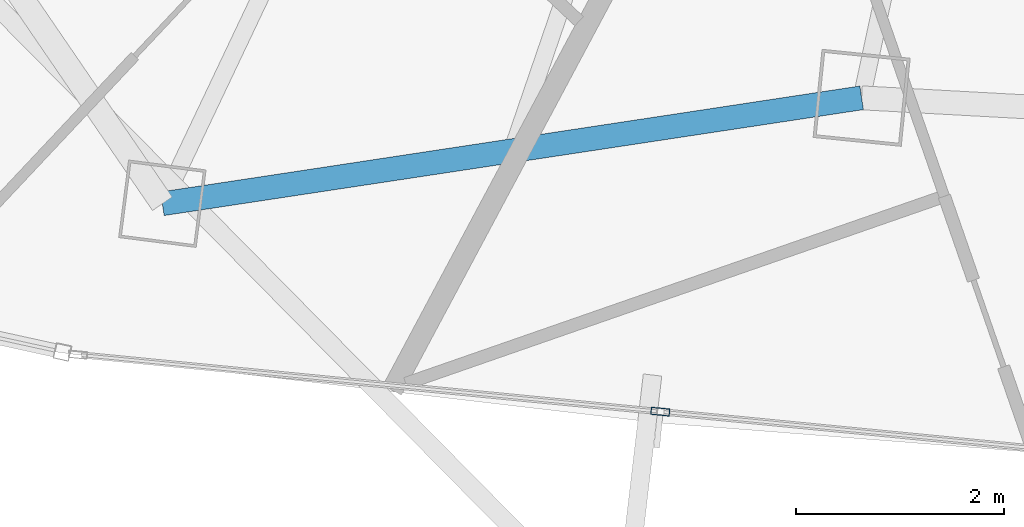
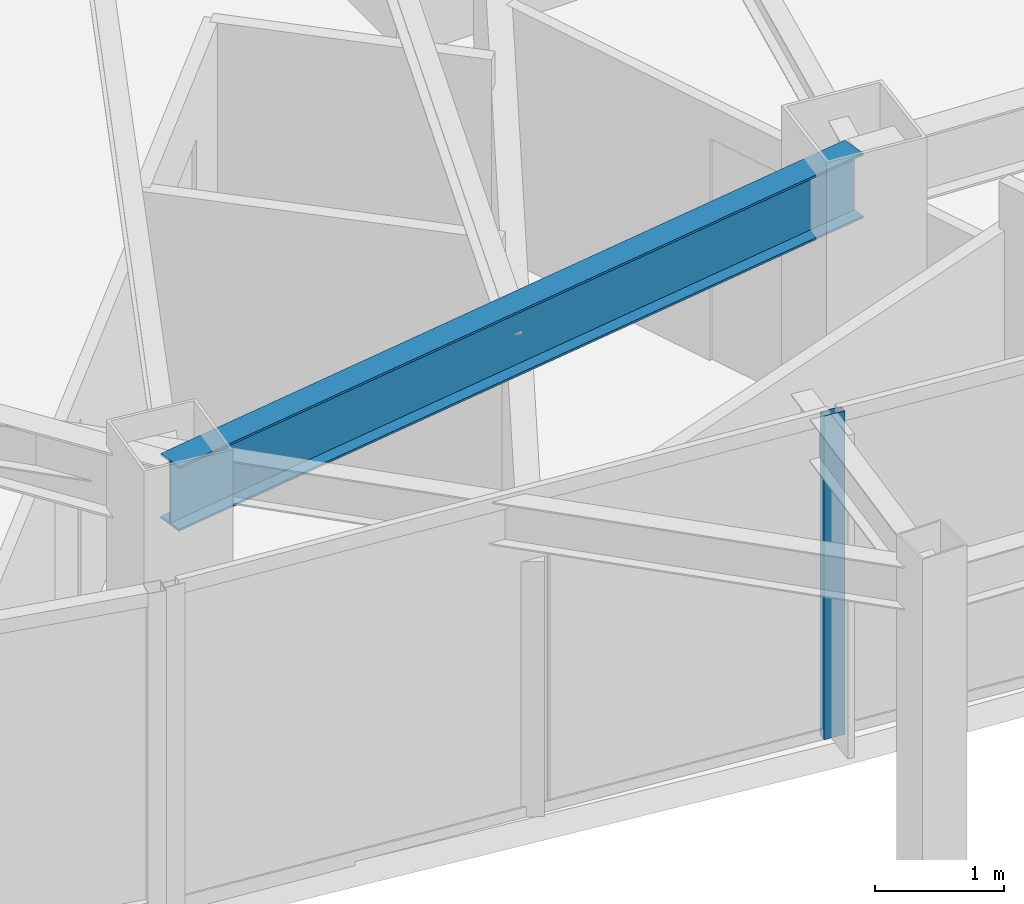
# One storey, part 4 of 29: 1 beam, 1 member, 1 element without a shape of its own.
"""IFC4 building model written with IfcOpenShell, lengths in metres."""

from ifc_helpers import new_model, si_unit, direction, frame, origin, origin_2d, place, context, subcontext, project, spatial, hollow_rectangle, i_section, extrude, material, layer, layer_set, material_profile, profile_set, type_object, element, aggregate, save


model = new_model("IFC4")

# Units and contexts
model_context = context("Model", 3, precision=1e-05, world=origin(), true_north=direction((0.0, 1.0)))
body_context = subcontext(model_context, "Body", "Model", "MODEL_VIEW")
ifc_project = project(units=[si_unit("LENGTHUNIT", "METRE"), si_unit("AREAUNIT", "SQUARE_METRE"), si_unit("VOLUMEUNIT", "CUBIC_METRE"), si_unit("PLANEANGLEUNIT", "RADIAN"), si_unit("MASSUNIT", "GRAM", prefix="KILO")], contexts=[model_context])

# Site, building, storey
site_placement = place(None, origin())
site = spatial("IfcSite", under=ifc_project, at=site_placement, CompositionType="ELEMENT")
building_placement = place(site_placement, origin())
building = spatial("IfcBuilding", under=site, at=building_placement, Name="Orvanel Arch Residences", CompositionType="ELEMENT")
storey_placement = place(building_placement, frame((0.0, 0.0, 163.85009765625)))
storey = spatial("IfcBuildingStorey", under=building, at=storey_placement, Name="L46", CompositionType="ELEMENT", Elevation=163.85009765625)

# Curtain wall, member
ifc_material_1 = material(Name="Bronze-anodised aluminium AA6063-T6", Category="aluminium")
ifc_layer = layer(ifc_material_1, 0.179931640625)
ifc_layer_set = layer_set([ifc_layer], Name="Bronze-anodised aluminium AA6063-T6")
curtain_wall_type = type_object("IfcCurtainWallType", Name="CW3-MID-SYS", PredefinedType="NOTDEFINED", material=ifc_layer_set)
curtain_wall_placement = place(storey_placement, origin())
curtain_wall = element("IfcCurtainWall", 1, at=curtain_wall_placement, inside=storey, type_object=curtain_wall_type, Name="L46 CW3-MID-SYS Unitised Curtain Wall", PredefinedType="NOTDEFINED")
ifc_material_profile_1 = material_profile(ifc_material_1, hollow_rectangle(XDim=0.070068359375, YDim=0.179931640625, WallThickness=0.00439453125, at=origin_2d()), Name="ALU180x70x4.5")
ifc_profile_set_1 = profile_set([ifc_material_profile_1], Name="Bronze-anodised aluminium AA6063-T6")
member_type = type_object("IfcMemberType", Name="MUL-180x70", PredefinedType="MULLION", material=ifc_profile_set_1)
member_placement = place(storey_placement, frame((21.717529296875, 4.344482421875, 0.0), z_axis=(0.0, 0.0, 1.0), x_axis=(0.097286031613, 0.995256463457, 0.0)))
member = element("IfcMember", 2, at=member_placement, type_object=member_type, Name="CW-S3 mullion 2", PredefinedType="MULLION", context=body_context, shape_type="SweptSolid", body=[
    extrude(hollow_rectangle(XDim=0.070068359375, YDim=0.179931640625, WallThickness=0.00439453125, at=origin_2d()), origin(), (0.0, 0.0, 1.0), 3.059814453125),
])
aggregate(curtain_wall, [member])

# Beam
ifc_material_2 = material(Name="Structural steel AS/NZS 3679.1 Grade 300 (300 MPa)", Category="steel")
ifc_material_profile_2 = material_profile(ifc_material_2, i_section(OverallWidth=0.22900390625, OverallDepth=0.612060546875, WebThickness=0.011962890625, FlangeThickness=0.01953125, at=origin_2d()), Name="610UB125")
ifc_profile_set_2 = profile_set([ifc_material_profile_2], Name="Structural steel AS/NZS 3679.1 Grade 300 (300 MPa)")
beam_type = type_object("IfcBeamType", Name="SP-610UB", PredefinedType="SPANDREL", material=ifc_profile_set_2)
beam_placement = place(storey_placement, frame((16.94091796875, 6.339111328125, 2.75390625), z_axis=(0.988726323014, 0.149733958002, 0.0), x_axis=(-0.149733958002, 0.988726323014, 0.0)))
element("IfcBeam", 3, at=beam_placement, inside=storey, type_object=beam_type, Name="L46 Perimeter Spandrel Beam 04", PredefinedType="SPANDREL", context=body_context, shape_type="SweptSolid", body=[
    extrude(i_section(OverallWidth=0.22900390625, OverallDepth=0.612060546875, WebThickness=0.011962890625, FlangeThickness=0.01953125, at=origin_2d()), origin(), (0.0, 0.0, 1.0), 6.784423828125),
])

save(model, "model.ifc")
